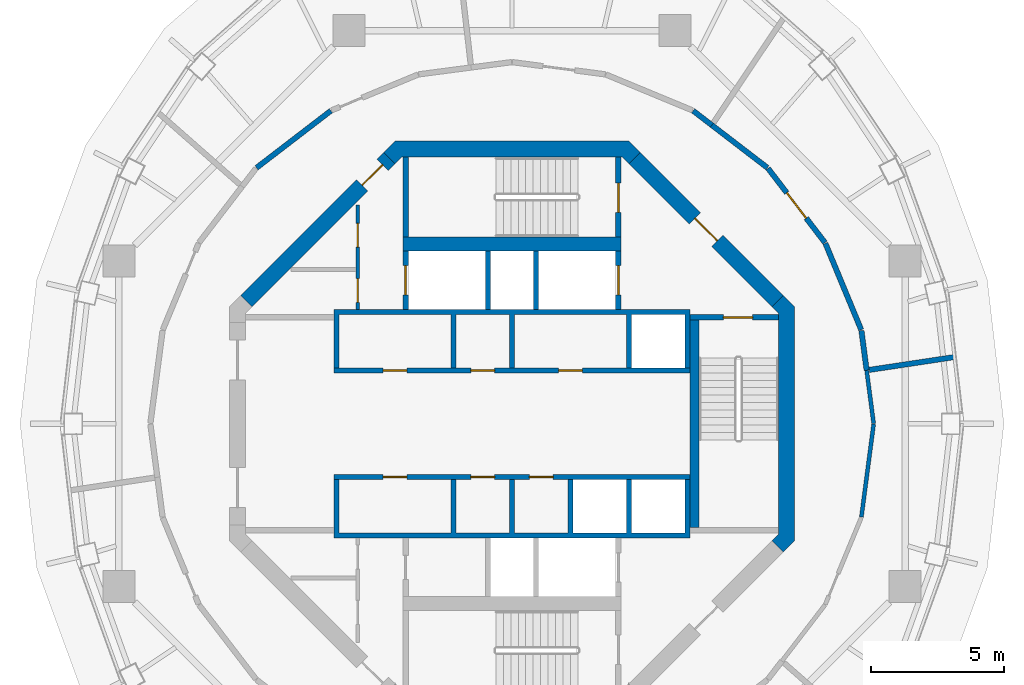
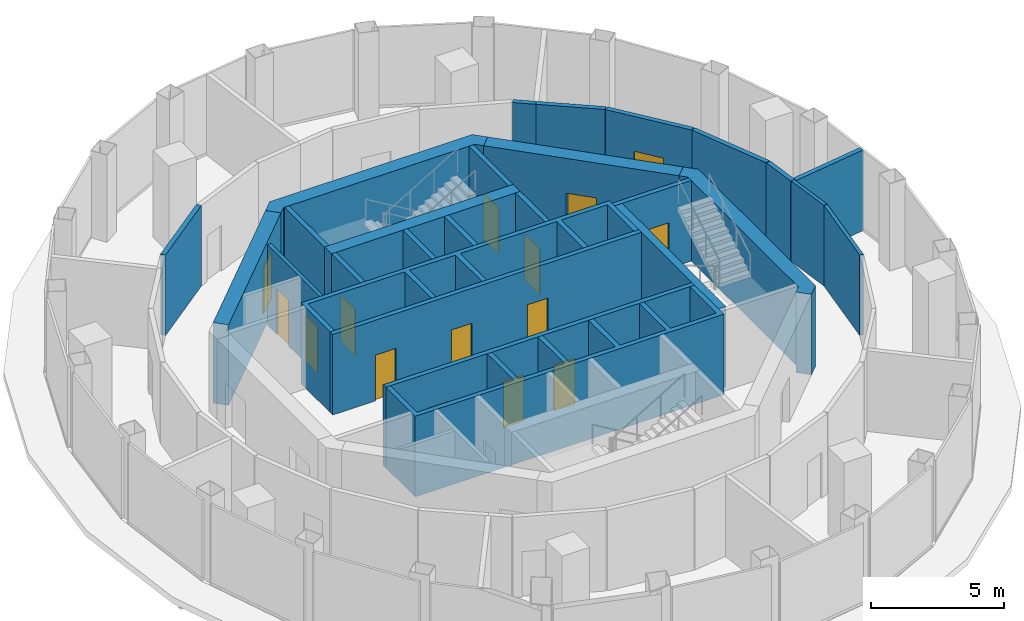
# One storey, part 9 of 11: 27 walls, 15 doors, 15 openings.
"""IFC4 building model written with IfcOpenShell, lengths in metres."""

from ifc_helpers import new_model, si_unit, direction, frame, frame_2d, origin, place, context, subcontext, project, spatial, polyline, rectangle, outline, extrude, material, layer, layer_set, type_object, element, fill, save


model = new_model("IFC4")

# Units and contexts
model_context = context("Model", 3, precision=1e-05, world=origin(), true_north=direction((0.0, 1.0)))
body_context = subcontext(model_context, "Body", "Model", "MODEL_VIEW")
ifc_project = project(units=[si_unit("LENGTHUNIT", "METRE"), si_unit("AREAUNIT", "SQUARE_METRE"), si_unit("VOLUMEUNIT", "CUBIC_METRE"), si_unit("PLANEANGLEUNIT", "RADIAN"), si_unit("MASSUNIT", "GRAM", prefix="KILO")], contexts=[model_context])

# Site, building, storey
site_placement = place(None, origin())
site = spatial("IfcSite", under=ifc_project, at=site_placement, CompositionType="ELEMENT")
building_placement = place(site_placement, origin())
building = spatial("IfcBuilding", under=site, at=building_placement, Name="Nagisa Residences", CompositionType="ELEMENT")
storey_placement = place(building_placement, frame((0.0, 0.0, 324.89990234375)))
storey = spatial("IfcBuildingStorey", under=building, at=storey_placement, Name="L80", CompositionType="ELEMENT", Elevation=324.89990234375)

# Wall, openings, doors
ifc_material_1 = material(Name="Gypsum board on steel studs", Category="steel")
ifc_layer_1 = layer(ifc_material_1, 0.14990234375)
ifc_layer_set_1 = layer_set([ifc_layer_1], Name="Core partition 150")
wall_type_1 = type_object("IfcWallType", Name="Core partition 150", PredefinedType="PARTITIONING", material=ifc_layer_set_1)
wall_1_placement = place(storey_placement, frame((-5.800048828125, 4.300048828125, 0.0), z_axis=(0.0, 0.0, 1.0), x_axis=(0.0, 1.0, 0.0)))
wall_1 = element("IfcWall", 1, at=wall_1_placement, inside=storey, type_object=wall_type_1, Name="wall:L80:NWp", PredefinedType="PARTITIONING", context=body_context, shape_type="SweptSolid", body=[
    extrude(rectangle(XDim=3.927001953125, YDim=0.14990234375, at=frame_2d((1.96337890625, 0.0))), origin(), (0.0, 0.0, 1.0), 3.7001953125),
])
opening_1_placement = place(wall_1_placement, frame((0.262451171875, 0.0, 0.0)))
opening_1 = element("IfcOpeningElement", 2, at=opening_1_placement, cuts=wall_1, Name="Opening L80-C07", PredefinedType="OPENING", context=body_context, shape_type="SweptSolid", body=[
    extrude(rectangle(XDim=0.89990234375, YDim=2.10009765625, at=frame_2d((0.449951171875, 1.050048828125))), frame((0.0, 0.0849609375, 0.0), z_axis=(0.0, -1.0, 0.0), x_axis=(1.0, 0.0, 0.0)), (0.0, 0.0, 1.0), 0.169921875),
])
opening_2_placement = place(wall_1_placement, frame((2.33837890625, 0.0, 0.0)))
opening_2 = element("IfcOpeningElement", 3, at=opening_2_placement, cuts=wall_1, Name="Opening L80-C08", PredefinedType="OPENING", context=body_context, shape_type="SweptSolid", body=[
    extrude(rectangle(XDim=0.89990234375, YDim=2.10009765625, at=frame_2d((0.449951171875, 1.050048828125))), frame((0.0, 0.0849609375, 0.0), z_axis=(0.0, -1.0, 0.0), x_axis=(1.0, 0.0, 0.0)), (0.0, 0.0, 1.0), 0.169921875),
])
ifc_material_2 = material(Name="Steel fire door", Category="steel")
door_type_1 = type_object("IfcDoorType", Name="Fire door EI30 900x2100 single swing", OperationType="NOTDEFINED", PredefinedType="DOOR", material=ifc_material_2)
door_1_placement = place(opening_1_placement, origin())
door_1 = element("IfcDoor", 4, at=door_1_placement, inside=storey, type_object=door_type_1, Name="Linen store door L80", OperationType="SINGLE_SWING_LEFT", OverallHeight=2.10009765625, OverallWidth=0.89990234375, PredefinedType="DOOR", context=body_context, shape_type="SweptSolid", body=[
    extrude(rectangle(XDim=0.89990234375, YDim=2.10009765625, at=frame_2d((0.449951171875, 1.050048828125))), frame((0.0, 0.02490234375, 0.0), z_axis=(0.0, -1.0, 0.0), x_axis=(1.0, 0.0, 0.0)), (0.0, 0.0, 1.0), 0.050048828125),
])
fill(opening_1, door_1)
door_2_placement = place(opening_2_placement, origin())
door_2 = element("IfcDoor", 5, at=door_2_placement, inside=storey, type_object=door_type_1, Name="Refuse room door L80", OperationType="SINGLE_SWING_LEFT", OverallHeight=2.10009765625, OverallWidth=0.89990234375, PredefinedType="DOOR", context=body_context, shape_type="SweptSolid", body=[
    extrude(rectangle(XDim=0.89990234375, YDim=2.10009765625, at=frame_2d((0.449951171875, 1.050048828125))), frame((0.0, 0.02490234375, 0.0), z_axis=(0.0, -1.0, 0.0), x_axis=(1.0, 0.0, 0.0)), (0.0, 0.0, 1.0), 0.050048828125),
])
fill(opening_2, door_2)

# Wall, opening, door
ifc_material_3 = material(Name="Concrete C60", Category="concrete")
ifc_layer_2 = layer(ifc_material_3, 0.60009765625)
ifc_layer_set_2 = layer_set([ifc_layer_2], Name="Core shear wall 600")
wall_type_2 = type_object("IfcWallType", Name="Core shear wall 600", PredefinedType="SHEAR", material=ifc_layer_set_2)
wall_2_placement = place(storey_placement, frame((9.98828125, 4.613037109375, 0.0), z_axis=(0.0, 0.0, 1.0), x_axis=(-0.707106781187, 0.707106781187, 0.0)))
wall_2 = element("IfcWall", 6, at=wall_2_placement, inside=storey, type_object=wall_type_2, Name="wall:L80:core:flat1", PredefinedType="SHEAR", context=body_context, shape_type="SweptSolid", body=[
    extrude(rectangle(XDim=7.601806640625, YDim=0.60009765625, at=frame_2d((3.80078125, 0.0))), origin(), (0.0, 0.0, 1.0), 3.7001953125),
])
opening_3_placement = place(wall_2_placement, frame((3.200927734375, 0.0, 0.0)))
opening_3 = element("IfcOpeningElement", 7, at=opening_3_placement, cuts=wall_2, Name="Opening L80-C18", PredefinedType="OPENING", context=body_context, shape_type="SweptSolid", body=[
    extrude(rectangle(XDim=1.199951171875, YDim=2.10009765625, at=frame_2d((0.60009765625, 1.050048828125))), frame((0.0, 0.31005859375, 0.0), z_axis=(0.0, -1.0, 0.0), x_axis=(1.0, 0.0, 0.0)), (0.0, 0.0, 1.0), 0.6201171875),
])
ifc_material_4 = material(Name="Steel fire door", Category="steel")
door_type_2 = type_object("IfcDoorType", Name="Fire door EI60 1200x2100 single swing", OperationType="NOTDEFINED", PredefinedType="DOOR", material=ifc_material_4)
door_3_placement = place(opening_3_placement, origin())
door_3 = element("IfcDoor", 8, at=door_3_placement, inside=storey, type_object=door_type_2, Name="Firefighting lobby 1 door L80", OperationType="SINGLE_SWING_LEFT", OverallHeight=2.10009765625, OverallWidth=1.199951171875, PredefinedType="DOOR", context=body_context, shape_type="SweptSolid", body=[
    extrude(rectangle(XDim=1.199951171875, YDim=2.10009765625, at=frame_2d((0.60009765625, 1.050048828125))), frame((0.0, 0.02490234375, 0.0), z_axis=(0.0, -1.0, 0.0), x_axis=(1.0, 0.0, 0.0)), (0.0, 0.0, 1.0), 0.050048828125),
])
fill(opening_3, door_3)

wall_3_placement = place(storey_placement, frame((-4.613037109375, 9.98828125, 0.0), z_axis=(0.0, 0.0, 1.0), x_axis=(-0.707106781187, -0.707106781187, 0.0)))
wall_3 = element("IfcWall", 9, at=wall_3_placement, inside=storey, type_object=wall_type_2, Name="wall:L80:core:flat3", PredefinedType="SHEAR", context=body_context, shape_type="SweptSolid", body=[
    extrude(rectangle(XDim=7.601806640625, YDim=0.60009765625, at=frame_2d((3.80078125, 0.0))), origin(), (0.0, 0.0, 1.0), 3.7001953125),
])
opening_4_placement = place(wall_3_placement, frame((0.350830078125, 0.0, 0.0)))
opening_4 = element("IfcOpeningElement", 10, at=opening_4_placement, cuts=wall_3, Name="Opening L80-C22", PredefinedType="OPENING", context=body_context, shape_type="SweptSolid", body=[
    extrude(rectangle(XDim=1.10009765625, YDim=2.10009765625, at=frame_2d((0.550048828125, 1.050048828125))), frame((0.0, 0.31005859375, 0.0), z_axis=(0.0, -1.0, 0.0), x_axis=(1.0, 0.0, 0.0)), (0.0, 0.0, 1.0), 0.6201171875),
])
ifc_material_5 = material(Name="Steel fire door", Category="steel")
door_type_3 = type_object("IfcDoorType", Name="Fire door EI60 1100x2100 single swing", OperationType="NOTDEFINED", PredefinedType="DOOR", material=ifc_material_5)
door_4_placement = place(opening_4_placement, origin())
door_4 = element("IfcDoor", 11, at=door_4_placement, inside=storey, type_object=door_type_3, Name="Service lobby door L80", OperationType="SINGLE_SWING_LEFT", OverallHeight=2.10009765625, OverallWidth=1.10009765625, PredefinedType="DOOR", context=body_context, shape_type="SweptSolid", body=[
    extrude(rectangle(XDim=1.10009765625, YDim=2.10009765625, at=frame_2d((0.550048828125, 1.050048828125))), frame((0.0, 0.02490234375, 0.0), z_axis=(0.0, -1.0, 0.0), x_axis=(1.0, 0.0, 0.0)), (0.0, 0.0, 1.0), 0.050048828125),
])
fill(opening_4, door_4)

# Walls
wall_4_placement = place(storey_placement, origin())
element("IfcWall", 12, at=wall_4_placement, inside=storey, type_object=wall_type_2, Name="wall:L80:core:flat2", PredefinedType="SHEAR", context=body_context, shape_type="SweptSolid", body=[
    extrude(outline(polyline([(-4.15234375, 10.024658203125), (-4.40087890625, 9.776123046875), (-4.8251953125, 10.200439453125), (-4.40087890625, 10.62451171875), (4.40087890625, 10.62451171875), (4.8251953125, 10.200439453125), (4.40087890625, 9.776123046875), (4.15234375, 10.024658203125), (-4.15234375, 10.024658203125)])), origin(), (0.0, 0.0, 1.0), 3.7001953125),
])
wall_5_placement = place(storey_placement, origin())
element("IfcWall", 13, at=wall_5_placement, inside=storey, type_object=wall_type_2, Name="wall:L80:core:flat0", PredefinedType="SHEAR", context=body_context, shape_type="SweptSolid", body=[
    extrude(outline(polyline([(9.776123046875, -4.40087890625), (10.024658203125, -4.15234375), (10.024658203125, -3.801025390625), (10.024658203125, 4.15234375), (9.776123046875, 4.40087890625), (10.200439453125, 4.8251953125), (10.62451171875, 4.40087890625), (10.62451171875, -4.40087890625), (10.200439453125, -4.8251953125), (9.776123046875, -4.40087890625)])), origin(), (0.0, 0.0, 1.0), 3.7001953125),
])

# Wall, opening, door
ifc_material_6 = material(Name="Concrete C60", Category="concrete")
ifc_layer_3 = layer(ifc_material_6, 0.199951171875)
ifc_layer_set_3 = layer_set([ifc_layer_3], Name="Lift shaft wall 200")
wall_type_3 = type_object("IfcWallType", Name="Lift shaft wall 200", PredefinedType="SOLIDWALL", material=ifc_layer_set_3)
wall_6_placement = place(storey_placement, frame((4.0, 4.300048828125, 0.0), z_axis=(0.0, 0.0, 1.0), x_axis=(0.0, 1.0, 0.0)))
wall_6 = element("IfcWall", 14, at=wall_6_placement, inside=storey, type_object=wall_type_3, Name="wall:L80:Nb3", PredefinedType="SOLIDWALL", context=body_context, shape_type="SweptSolid", body=[
    extrude(rectangle(XDim=2.199951171875, YDim=0.199951171875, at=frame_2d((1.10009765625, 0.0))), origin(), (0.0, 0.0, 1.0), 3.7001953125),
])
opening_5_placement = place(wall_6_placement, frame((0.550048828125, 0.0, 0.0)))
opening_5 = element("IfcOpeningElement", 15, at=opening_5_placement, cuts=wall_6, Name="Opening L80-C01", PredefinedType="OPENING", context=body_context, shape_type="SweptSolid", body=[
    extrude(rectangle(XDim=1.10009765625, YDim=2.10009765625, at=frame_2d((0.550048828125, 1.050048828125))), frame((0.0, 0.10986328125, 0.0), z_axis=(0.0, -1.0, 0.0), x_axis=(1.0, 0.0, 0.0)), (0.0, 0.0, 1.0), 0.219970703125),
])
ifc_material_7 = material(Name="Stainless steel", Category="steel")
door_type_4 = type_object("IfcDoorType", Name="Lift landing door 1100x2100", OperationType="DOUBLE_DOOR_SLIDING", PredefinedType="DOOR", material=ifc_material_7)
door_5_placement = place(opening_5_placement, origin())
door_5 = element("IfcDoor", 16, at=door_5_placement, inside=storey, type_object=door_type_4, Name="Landing door FL1 L80", OperationType="DOUBLE_DOOR_SLIDING", OverallHeight=2.10009765625, OverallWidth=1.10009765625, PredefinedType="DOOR", context=body_context, shape_type="SweptSolid", body=[
    extrude(rectangle(XDim=1.10009765625, YDim=2.10009765625, at=frame_2d((0.550048828125, 1.050048828125))), frame((0.0, 0.02490234375, 0.0), z_axis=(0.0, -1.0, 0.0), x_axis=(1.0, 0.0, 0.0)), (0.0, 0.0, 1.0), 0.050048828125),
])
fill(opening_5, door_5)

wall_7_placement = place(storey_placement, frame((-4.0, 4.300048828125, 0.0), z_axis=(0.0, 0.0, 1.0), x_axis=(0.0, 1.0, 0.0)))
wall_7 = element("IfcWall", 17, at=wall_7_placement, inside=storey, type_object=wall_type_3, Name="wall:L80:Nb4", PredefinedType="SOLIDWALL", context=body_context, shape_type="SweptSolid", body=[
    extrude(rectangle(XDim=2.199951171875, YDim=0.199951171875, at=frame_2d((1.10009765625, 0.0))), origin(), (0.0, 0.0, 1.0), 3.7001953125),
])
opening_6_placement = place(wall_7_placement, frame((0.550048828125, 0.0, 0.0)))
opening_6 = element("IfcOpeningElement", 18, at=opening_6_placement, cuts=wall_7, Name="Opening L80-C03", PredefinedType="OPENING", context=body_context, shape_type="SweptSolid", body=[
    extrude(rectangle(XDim=1.10009765625, YDim=2.10009765625, at=frame_2d((0.550048828125, 1.050048828125))), frame((0.0, 0.10986328125, 0.0), z_axis=(0.0, -1.0, 0.0), x_axis=(1.0, 0.0, 0.0)), (0.0, 0.0, 1.0), 0.219970703125),
])
door_6_placement = place(opening_6_placement, origin())
door_6 = element("IfcDoor", 19, at=door_6_placement, inside=storey, type_object=door_type_4, Name="Landing door SV L80", OperationType="DOUBLE_DOOR_SLIDING", OverallHeight=2.10009765625, OverallWidth=1.10009765625, PredefinedType="DOOR", context=body_context, shape_type="SweptSolid", body=[
    extrude(rectangle(XDim=1.10009765625, YDim=2.10009765625, at=frame_2d((0.550048828125, 1.050048828125))), frame((0.0, 0.02490234375, 0.0), z_axis=(0.0, -1.0, 0.0), x_axis=(1.0, 0.0, 0.0)), (0.0, 0.0, 1.0), 0.050048828125),
])
fill(opening_6, door_6)

# Wall, openings, doors
wall_8_placement = place(storey_placement, frame((-6.699951171875, 2.0, 0.0), z_axis=(0.0, 0.0, 1.0), x_axis=(1.0, 0.0, 0.0)))
wall_8 = element("IfcWall", 20, at=wall_8_placement, inside=storey, type_object=wall_type_3, Name="wall:L80:Nfront", PredefinedType="SOLIDWALL", context=body_context, shape_type="SweptSolid", body=[
    extrude(rectangle(XDim=13.39990234375, YDim=0.199951171875, at=frame_2d((6.699951171875, 0.0))), origin(), (0.0, 0.0, 1.0), 3.7001953125),
])
opening_7_placement = place(wall_8_placement, frame((1.85009765625, 0.0, 0.0)))
opening_7 = element("IfcOpeningElement", 21, at=opening_7_placement, cuts=wall_8, Name="Opening L80-C12", PredefinedType="OPENING", context=body_context, shape_type="SweptSolid", body=[
    extrude(rectangle(XDim=0.89990234375, YDim=2.10009765625, at=frame_2d((0.449951171875, 1.050048828125))), frame((0.0, 0.10986328125, 0.0), z_axis=(0.0, -1.0, 0.0), x_axis=(1.0, 0.0, 0.0)), (0.0, 0.0, 1.0), 0.219970703125),
])
opening_8_placement = place(wall_8_placement, frame((5.14990234375, 0.0, 0.0)))
opening_8 = element("IfcOpeningElement", 22, at=opening_8_placement, cuts=wall_8, Name="Opening L80-C13", PredefinedType="OPENING", context=body_context, shape_type="SweptSolid", body=[
    extrude(rectangle(XDim=0.89990234375, YDim=2.10009765625, at=frame_2d((0.449951171875, 1.050048828125))), frame((0.0, 0.10986328125, 0.0), z_axis=(0.0, -1.0, 0.0), x_axis=(1.0, 0.0, 0.0)), (0.0, 0.0, 1.0), 0.219970703125),
])
opening_9_placement = place(wall_8_placement, frame((8.449951171875, 0.0, 0.0)))
opening_9 = element("IfcOpeningElement", 23, at=opening_9_placement, cuts=wall_8, Name="Opening L80-C14", PredefinedType="OPENING", context=body_context, shape_type="SweptSolid", body=[
    extrude(rectangle(XDim=0.89990234375, YDim=2.10009765625, at=frame_2d((0.449951171875, 1.050048828125))), frame((0.0, 0.10986328125, 0.0), z_axis=(0.0, -1.0, 0.0), x_axis=(1.0, 0.0, 0.0)), (0.0, 0.0, 1.0), 0.219970703125),
])
door_7_placement = place(opening_7_placement, origin())
door_7 = element("IfcDoor", 24, at=door_7_placement, inside=storey, type_object=door_type_1, Name="Chiller store door L80", OperationType="SINGLE_SWING_RIGHT", OverallHeight=2.10009765625, OverallWidth=0.89990234375, PredefinedType="DOOR", context=body_context, shape_type="SweptSolid", body=[
    extrude(rectangle(XDim=0.89990234375, YDim=2.10009765625, at=frame_2d((0.449951171875, 1.050048828125))), frame((0.0, 0.02490234375, 0.0), z_axis=(0.0, -1.0, 0.0), x_axis=(1.0, 0.0, 0.0)), (0.0, 0.0, 1.0), 0.050048828125),
])
fill(opening_7, door_7)
door_8_placement = place(opening_8_placement, origin())
door_8 = element("IfcDoor", 25, at=door_8_placement, inside=storey, type_object=door_type_1, Name="Electrical room door L80", OperationType="SINGLE_SWING_RIGHT", OverallHeight=2.10009765625, OverallWidth=0.89990234375, PredefinedType="DOOR", context=body_context, shape_type="SweptSolid", body=[
    extrude(rectangle(XDim=0.89990234375, YDim=2.10009765625, at=frame_2d((0.449951171875, 1.050048828125))), frame((0.0, 0.02490234375, 0.0), z_axis=(0.0, -1.0, 0.0), x_axis=(1.0, 0.0, 0.0)), (0.0, 0.0, 1.0), 0.050048828125),
])
fill(opening_8, door_8)
door_9_placement = place(opening_9_placement, origin())
door_9 = element("IfcDoor", 26, at=door_9_placement, inside=storey, type_object=door_type_1, Name="Chiller store door L80", OperationType="SINGLE_SWING_RIGHT", OverallHeight=2.10009765625, OverallWidth=0.89990234375, PredefinedType="DOOR", context=body_context, shape_type="SweptSolid", body=[
    extrude(rectangle(XDim=0.89990234375, YDim=2.10009765625, at=frame_2d((0.449951171875, 1.050048828125))), frame((0.0, 0.02490234375, 0.0), z_axis=(0.0, -1.0, 0.0), x_axis=(1.0, 0.0, 0.0)), (0.0, 0.0, 1.0), 0.050048828125),
])
fill(opening_9, door_9)

wall_9_placement = place(storey_placement, frame((-6.699951171875, -2.0, 0.0), z_axis=(0.0, 0.0, 1.0), x_axis=(1.0, 0.0, 0.0)))
wall_9 = element("IfcWall", 27, at=wall_9_placement, inside=storey, type_object=wall_type_3, Name="wall:L80:Sfront", PredefinedType="SOLIDWALL", context=body_context, shape_type="SweptSolid", body=[
    extrude(rectangle(XDim=13.39990234375, YDim=0.199951171875, at=frame_2d((6.699951171875, 0.0))), origin(), (0.0, 0.0, 1.0), 3.7001953125),
])
opening_10_placement = place(wall_9_placement, frame((1.85009765625, 0.0, 0.0)))
opening_10 = element("IfcOpeningElement", 28, at=opening_10_placement, cuts=wall_9, Name="Opening L80-C15", PredefinedType="OPENING", context=body_context, shape_type="SweptSolid", body=[
    extrude(rectangle(XDim=0.89990234375, YDim=2.10009765625, at=frame_2d((0.449951171875, 1.050048828125))), frame((0.0, 0.10986328125, 0.0), z_axis=(0.0, -1.0, 0.0), x_axis=(1.0, 0.0, 0.0)), (0.0, 0.0, 1.0), 0.219970703125),
])
opening_11_placement = place(wall_9_placement, frame((5.14990234375, 0.0, 0.0)))
opening_11 = element("IfcOpeningElement", 29, at=opening_11_placement, cuts=wall_9, Name="Opening L80-C16", PredefinedType="OPENING", context=body_context, shape_type="SweptSolid", body=[
    extrude(rectangle(XDim=0.89990234375, YDim=2.10009765625, at=frame_2d((0.449951171875, 1.050048828125))), frame((0.0, 0.10986328125, 0.0), z_axis=(0.0, -1.0, 0.0), x_axis=(1.0, 0.0, 0.0)), (0.0, 0.0, 1.0), 0.219970703125),
])
opening_12_placement = place(wall_9_placement, frame((7.35009765625, 0.0, 0.0)))
opening_12 = element("IfcOpeningElement", 30, at=opening_12_placement, cuts=wall_9, Name="Opening L80-C17", PredefinedType="OPENING", context=body_context, shape_type="SweptSolid", body=[
    extrude(rectangle(XDim=0.89990234375, YDim=2.10009765625, at=frame_2d((0.449951171875, 1.050048828125))), frame((0.0, 0.10986328125, 0.0), z_axis=(0.0, -1.0, 0.0), x_axis=(1.0, 0.0, 0.0)), (0.0, 0.0, 1.0), 0.219970703125),
])
door_10_placement = place(opening_10_placement, frame((0.89990234375, 0.0, 0.0), x_axis=(-1.0, 0.0, 0.0)))
door_10 = element("IfcDoor", 31, at=door_10_placement, inside=storey, type_object=door_type_1, Name="Electrical room door L80", OperationType="SINGLE_SWING_LEFT", OverallHeight=2.10009765625, OverallWidth=0.89990234375, PredefinedType="DOOR", context=body_context, shape_type="SweptSolid", body=[
    extrude(rectangle(XDim=0.89990234375, YDim=2.10009765625, at=frame_2d((0.449951171875, 1.050048828125))), frame((0.0, 0.02490234375, 0.0), z_axis=(0.0, -1.0, 0.0), x_axis=(1.0, 0.0, 0.0)), (0.0, 0.0, 1.0), 0.050048828125),
])
fill(opening_10, door_10)
door_11_placement = place(opening_11_placement, frame((0.89990234375, 0.0, 0.0), x_axis=(-1.0, 0.0, 0.0)))
door_11 = element("IfcDoor", 32, at=door_11_placement, inside=storey, type_object=door_type_1, Name="Chiller store door L80", OperationType="SINGLE_SWING_LEFT", OverallHeight=2.10009765625, OverallWidth=0.89990234375, PredefinedType="DOOR", context=body_context, shape_type="SweptSolid", body=[
    extrude(rectangle(XDim=0.89990234375, YDim=2.10009765625, at=frame_2d((0.449951171875, 1.050048828125))), frame((0.0, 0.02490234375, 0.0), z_axis=(0.0, -1.0, 0.0), x_axis=(1.0, 0.0, 0.0)), (0.0, 0.0, 1.0), 0.050048828125),
])
fill(opening_11, door_11)
door_12_placement = place(opening_12_placement, frame((0.89990234375, 0.0, 0.0), x_axis=(-1.0, 0.0, 0.0)))
door_12 = element("IfcDoor", 33, at=door_12_placement, inside=storey, type_object=door_type_1, Name="Electrical room door L80", OperationType="SINGLE_SWING_LEFT", OverallHeight=2.10009765625, OverallWidth=0.89990234375, PredefinedType="DOOR", context=body_context, shape_type="SweptSolid", body=[
    extrude(rectangle(XDim=0.89990234375, YDim=2.10009765625, at=frame_2d((0.449951171875, 1.050048828125))), frame((0.0, 0.02490234375, 0.0), z_axis=(0.0, -1.0, 0.0), x_axis=(1.0, 0.0, 0.0)), (0.0, 0.0, 1.0), 0.050048828125),
])
fill(opening_12, door_12)

# Walls
for number, where, z_axis, x_axis, name in (
    (34, (-0.89990234375, 4.300048828125, 0.0), (0.0, 0.0, 1.0), (0.0, 1.0, 0.0), "wall:L80:Nb1"),
    (35, (0.89990234375, 4.300048828125, 0.0), (0.0, 0.0, 1.0), (0.0, 1.0, 0.0), "wall:L80:Nb2"),
):
    element("IfcWall", number, at=place(storey_placement, frame(where, z_axis=z_axis, x_axis=x_axis)), inside=storey, type_object=wall_type_3, Name=name, PredefinedType="SOLIDWALL", context=body_context, shape_type="SweptSolid", body=[
        extrude(rectangle(XDim=2.199951171875, YDim=0.199951171875, at=frame_2d((1.10009765625, 0.0))), origin(), (0.0, 0.0, 1.0), 3.7001953125),
    ])
wall_10_placement = place(storey_placement, origin())
element("IfcWall", 36, at=wall_10_placement, inside=storey, type_object=wall_type_3, Name="wall:L80:Nback", PredefinedType="SOLIDWALL", context=body_context, shape_type="SweptSolid", body=[
    extrude(outline(polyline([(-6.699951171875, 4.300048828125), (6.699951171875, 4.300048828125), (6.699951171875, 2.10009765625), (6.5, 2.10009765625), (6.5, 4.10009765625), (4.5, 4.10009765625), (4.5, 2.10009765625), (4.300048828125, 2.10009765625), (4.300048828125, 4.10009765625), (0.10009765625, 4.10009765625), (0.10009765625, 2.10009765625), (-0.10009765625, 2.10009765625), (-0.10009765625, 4.10009765625), (-2.10009765625, 4.10009765625), (-2.10009765625, 2.10009765625), (-2.300048828125, 2.10009765625), (-2.300048828125, 4.10009765625), (-6.5, 4.10009765625), (-6.5, 2.10009765625), (-6.699951171875, 2.10009765625), (-6.699951171875, 4.300048828125)])), origin(), (0.0, 0.0, 1.0), 3.7001953125),
])
wall_11_placement = place(storey_placement, origin())
element("IfcWall", 37, at=wall_11_placement, inside=storey, type_object=wall_type_3, Name="wall:L80:Sback", PredefinedType="SOLIDWALL", context=body_context, shape_type="SweptSolid", body=[
    extrude(outline(polyline([(-6.699951171875, -2.10009765625), (-6.5, -2.10009765625), (-6.5, -4.10009765625), (-2.300048828125, -4.10009765625), (-2.300048828125, -2.10009765625), (-2.10009765625, -2.10009765625), (-2.10009765625, -4.10009765625), (-0.10009765625, -4.10009765625), (-0.10009765625, -2.10009765625), (0.10009765625, -2.10009765625), (0.10009765625, -4.10009765625), (2.10009765625, -4.10009765625), (2.10009765625, -2.10009765625), (2.300048828125, -2.10009765625), (2.300048828125, -4.10009765625), (4.300048828125, -4.10009765625), (4.300048828125, -2.10009765625), (4.5, -2.10009765625), (4.5, -4.10009765625), (6.5, -4.10009765625), (6.5, -2.10009765625), (6.699951171875, -2.10009765625), (6.699951171875, -4.300048828125), (-6.699951171875, -4.300048828125), (-6.699951171875, -2.10009765625)])), origin(), (0.0, 0.0, 1.0), 3.7001953125),
])
ifc_material_8 = material(Name="Gypsum board on steel studs", Category="steel")
ifc_layer_4 = layer(ifc_material_8, 0.199951171875)
ifc_layer_set_4 = layer_set([ifc_layer_4], Name="Plant room wall EI120 200")
wall_type_4 = type_object("IfcWallType", Name="Plant room wall EI120 200", PredefinedType="PARTITIONING", material=ifc_layer_set_4)
wall_12_placement = place(storey_placement, frame((-9.604736328125, 9.6259765625, 0.0), z_axis=(0.0, 0.0, 1.0), x_axis=(0.793402024283, 0.608697977542, 0.0)))
element("IfcWall", 38, at=wall_12_placement, inside=storey, type_object=wall_type_4, Name="wall:L80:am014", PredefinedType="PARTITIONING", context=body_context, shape_type="SweptSolid", body=[
    extrude(rectangle(XDim=3.52001953125, YDim=0.199951171875, at=frame_2d((1.760009765625, 0.0))), origin(), (0.0, 0.0, 1.0), 3.7001953125),
])
wall_13_placement = place(storey_placement, frame((6.81201171875, 11.7685546875, 0.0), z_axis=(0.0, 0.0, 1.0), x_axis=(0.793420478802, -0.608673922407, 0.0)))
element("IfcWall", 39, at=wall_13_placement, inside=storey, type_object=wall_type_4, Name="wall:L80:am030", PredefinedType="PARTITIONING", context=body_context, shape_type="SweptSolid", body=[
    extrude(rectangle(XDim=0.887939453125, YDim=0.199951171875, at=frame_2d((0.44384765625, 0.0))), origin(), (0.0, 0.0, 1.0), 3.7001953125),
])
wall_14_placement = place(storey_placement, frame((7.5166015625, 11.22802734375, 0.0), z_axis=(0.0, 0.0, 1.0), x_axis=(0.793395797287, -0.608706093979, 0.0)))
element("IfcWall", 40, at=wall_14_placement, inside=storey, type_object=wall_type_4, Name="wall:L80:am031", PredefinedType="PARTITIONING", context=body_context, shape_type="SweptSolid", body=[
    extrude(rectangle(XDim=2.6318359375, YDim=0.199951171875, at=frame_2d((1.31591796875, 0.0))), origin(), (0.0, 0.0, 1.0), 3.7001953125),
])

# Wall, opening, door
wall_15_placement = place(storey_placement, frame((9.6259765625, 9.604736328125, 0.0), z_axis=(0.0, 0.0, 1.0), x_axis=(0.608697977542, -0.793402024283, 0.0)))
wall_15 = element("IfcWall", 41, at=wall_15_placement, inside=storey, type_object=wall_type_4, Name="wall:L80:am034", PredefinedType="PARTITIONING", context=body_context, shape_type="SweptSolid", body=[
    extrude(rectangle(XDim=3.52001953125, YDim=0.199951171875, at=frame_2d((1.760009765625, 0.0))), origin(), (0.0, 0.0, 1.0), 3.7001953125),
])
opening_13_placement = place(wall_15_placement, frame((1.159912109375, 0.0, 0.0)))
opening_13 = element("IfcOpeningElement", 42, at=opening_13_placement, cuts=wall_15, Name="Opening L80-A01", PredefinedType="OPENING", context=body_context, shape_type="SweptSolid", body=[
    extrude(rectangle(XDim=1.199951171875, YDim=2.10009765625, at=frame_2d((0.60009765625, 1.050048828125))), frame((0.0, 0.10986328125, 0.0), z_axis=(0.0, -1.0, 0.0), x_axis=(1.0, 0.0, 0.0)), (0.0, 0.0, 1.0), 0.219970703125),
])
ifc_material_9 = material(Name="Steel fire door", Category="steel")
door_type_5 = type_object("IfcDoorType", Name="Fire door EI120 1200x2100 single swing", OperationType="NOTDEFINED", PredefinedType="DOOR", material=ifc_material_9)
door_13_placement = place(opening_13_placement, frame((1.199951171875, 0.0, 0.0), x_axis=(-1.0, 0.0, 0.0)))
door_13 = element("IfcDoor", 43, at=door_13_placement, inside=storey, type_object=door_type_5, Name="Air handling plant room 1 door", OperationType="SINGLE_SWING_RIGHT", OverallHeight=2.10009765625, OverallWidth=1.199951171875, PredefinedType="DOOR", context=body_context, shape_type="SweptSolid", body=[
    extrude(rectangle(XDim=1.199951171875, YDim=2.10009765625, at=frame_2d((0.60009765625, 1.050048828125))), frame((0.0, 0.02490234375, 0.0), z_axis=(0.0, -1.0, 0.0), x_axis=(1.0, 0.0, 0.0)), (0.0, 0.0, 1.0), 0.050048828125),
])
fill(opening_13, door_13)

# Walls
wall_16_placement = place(storey_placement, frame((11.78369140625, 6.785888671875, 0.0), z_axis=(0.0, 0.0, 1.0), x_axis=(0.382723413813, -0.92386297064, 0.0)))
element("IfcWall", 44, at=wall_16_placement, inside=storey, type_object=wall_type_4, Name="wall:L80:am036", PredefinedType="PARTITIONING", context=body_context, shape_type="SweptSolid", body=[
    extrude(rectangle(XDim=3.52001953125, YDim=0.199951171875, at=frame_2d((1.760009765625, 0.0))), origin(), (0.0, 0.0, 1.0), 3.7001953125),
])
wall_17_placement = place(storey_placement, frame((13.138671875, 3.5048828125, 0.0), z_axis=(0.0, 0.0, 1.0), x_axis=(0.130391662061, -0.99146256332, 0.0)))
element("IfcWall", 45, at=wall_17_placement, inside=storey, type_object=wall_type_4, Name="wall:L80:am038", PredefinedType="PARTITIONING", context=body_context, shape_type="SweptSolid", body=[
    extrude(rectangle(XDim=1.50732421875, YDim=0.199951171875, at=frame_2d((0.753662109375, 0.0))), origin(), (0.0, 0.0, 1.0), 3.7001953125),
])
wall_18_placement = place(storey_placement, frame((13.43408203125, 2.025390625, 0.0), z_axis=(0.0, 0.0, 1.0), x_axis=(0.988817905908, 0.149127961685, 0.0)))
element("IfcWall", 46, at=wall_18_placement, inside=storey, type_object=wall_type_4, Name="wall:L80:am039", PredefinedType="PARTITIONING", context=body_context, shape_type="SweptSolid", body=[
    extrude(rectangle(XDim=3.213623046875, YDim=0.199951171875, at=frame_2d((1.60693359375, 0.0))), origin(), (0.0, 0.0, 1.0), 3.7001953125),
])
ifc_material_10 = material(Name="Gypsum board on steel studs", Category="steel")
ifc_layer_5 = layer(ifc_material_10, 0.14990234375)
ifc_layer_set_5 = layer_set([ifc_layer_5], Name="Room partition EI60 150")
wall_type_5 = type_object("IfcWallType", Name="Room partition EI60 150", PredefinedType="PARTITIONING", material=ifc_layer_set_5)
wall_19_placement = place(storey_placement, frame((13.335205078125, 2.010498046875, 0.0), z_axis=(0.0, 0.0, 1.0), x_axis=(0.130545357325, -0.991442338051, 0.0)))
element("IfcWall", 47, at=wall_19_placement, inside=storey, type_object=wall_type_5, Name="wall:L80:am002", PredefinedType="PARTITIONING", context=body_context, shape_type="SweptSolid", body=[
    extrude(rectangle(XDim=2.01611328125, YDim=0.14990234375, at=frame_2d((1.008056640625, 0.0))), origin(), (0.0, 0.0, 1.0), 3.7001953125),
])
wall_20_placement = place(storey_placement, frame((13.598388671875, -0.01171875, 0.0), z_axis=(0.0, 0.0, 1.0), x_axis=(-0.130499283623, -0.991448403586, 0.0)))
element("IfcWall", 48, at=wall_20_placement, inside=storey, type_object=wall_type_5, Name="wall:L80:am003", PredefinedType="PARTITIONING", context=body_context, shape_type="SweptSolid", body=[
    extrude(rectangle(XDim=3.526611328125, YDim=0.14990234375, at=frame_2d((1.76318359375, 0.0))), origin(), (0.0, 0.0, 1.0), 3.7001953125),
])

# Wall, opening, door
ifc_material_11 = material(Name="Concrete C60", Category="concrete")
ifc_layer_6 = layer(ifc_material_11, 0.199951171875)
ifc_layer_set_6 = layer_set([ifc_layer_6], Name="Stair enclosure wall 200")
wall_type_6 = type_object("IfcWallType", Name="Stair enclosure wall 200", PredefinedType="SOLIDWALL", material=ifc_layer_set_6)
wall_21_placement = place(storey_placement, frame((6.699951171875, 4.0, 0.0), z_axis=(0.0, 0.0, 1.0), x_axis=(1.0, 0.0, 0.0)))
wall_21 = element("IfcWall", 49, at=wall_21_placement, inside=storey, type_object=wall_type_6, Name="wall:L80:SE_n", PredefinedType="SOLIDWALL", context=body_context, shape_type="SweptSolid", body=[
    extrude(rectangle(XDim=3.32470703125, YDim=0.199951171875, at=frame_2d((1.662353515625, 0.0))), origin(), (0.0, 0.0, 1.0), 3.7001953125),
])
opening_14_placement = place(wall_21_placement, frame((1.25, 0.0, 0.0)))
opening_14 = element("IfcOpeningElement", 50, at=opening_14_placement, cuts=wall_21, Name="Opening L80-C04", PredefinedType="OPENING", context=body_context, shape_type="SweptSolid", body=[
    extrude(rectangle(XDim=1.10009765625, YDim=2.10009765625, at=frame_2d((0.550048828125, 1.050048828125))), frame((0.0, 0.10986328125, 0.0), z_axis=(0.0, -1.0, 0.0), x_axis=(1.0, 0.0, 0.0)), (0.0, 0.0, 1.0), 0.219970703125),
])
ifc_material_12 = material(Name="Steel fire door", Category="steel")
door_type_6 = type_object("IfcDoorType", Name="Fire door EI90 1100x2100 single swing", OperationType="NOTDEFINED", PredefinedType="DOOR", material=ifc_material_12)
door_14_placement = place(opening_14_placement, frame((1.10009765625, 0.0, 0.0), x_axis=(-1.0, 0.0, 0.0)))
door_14 = element("IfcDoor", 51, at=door_14_placement, inside=storey, type_object=door_type_6, Name="Stair door ST-E L80", OperationType="SINGLE_SWING_LEFT", OverallHeight=2.10009765625, OverallWidth=1.10009765625, PredefinedType="DOOR", context=body_context, shape_type="SweptSolid", body=[
    extrude(rectangle(XDim=1.10009765625, YDim=2.10009765625, at=frame_2d((0.550048828125, 1.050048828125))), frame((0.0, 0.02490234375, 0.0), z_axis=(0.0, -1.0, 0.0), x_axis=(1.0, 0.0, 0.0)), (0.0, 0.0, 1.0), 0.050048828125),
])
fill(opening_14, door_14)

wall_22_placement = place(storey_placement, frame((4.0, 7.024658203125, 0.0), z_axis=(0.0, 0.0, 1.0), x_axis=(0.0, 1.0, 0.0)))
wall_22 = element("IfcWall", 52, at=wall_22_placement, inside=storey, type_object=wall_type_6, Name="wall:L80:SN_e", PredefinedType="SOLIDWALL", context=body_context, shape_type="SweptSolid", body=[
    extrude(rectangle(XDim=3.0, YDim=0.199951171875, at=frame_2d((1.5, 0.0))), origin(), (0.0, 0.0, 1.0), 3.7001953125),
])
opening_15_placement = place(wall_22_placement, frame((0.92529296875, 0.0, 0.0)))
opening_15 = element("IfcOpeningElement", 53, at=opening_15_placement, cuts=wall_22, Name="Opening L80-C05", PredefinedType="OPENING", context=body_context, shape_type="SweptSolid", body=[
    extrude(rectangle(XDim=1.10009765625, YDim=2.10009765625, at=frame_2d((0.550048828125, 1.050048828125))), frame((0.0, 0.10986328125, 0.0), z_axis=(0.0, -1.0, 0.0), x_axis=(1.0, 0.0, 0.0)), (0.0, 0.0, 1.0), 0.219970703125),
])
door_15_placement = place(opening_15_placement, origin())
door_15 = element("IfcDoor", 54, at=door_15_placement, inside=storey, type_object=door_type_6, Name="Stair door ST-N L80", OperationType="SINGLE_SWING_RIGHT", OverallHeight=2.10009765625, OverallWidth=1.10009765625, PredefinedType="DOOR", context=body_context, shape_type="SweptSolid", body=[
    extrude(rectangle(XDim=1.10009765625, YDim=2.10009765625, at=frame_2d((0.550048828125, 1.050048828125))), frame((0.0, 0.02490234375, 0.0), z_axis=(0.0, -1.0, 0.0), x_axis=(1.0, 0.0, 0.0)), (0.0, 0.0, 1.0), 0.050048828125),
])
fill(opening_15, door_15)

# Walls
wall_23_placement = place(storey_placement, origin())
element("IfcWall", 55, at=wall_23_placement, inside=storey, type_object=wall_type_6, Name="wall:L80:SN_w", PredefinedType="SOLIDWALL", context=body_context, shape_type="SweptSolid", body=[
    extrude(outline(polyline([(-3.89990234375, 7.024658203125), (-4.10009765625, 7.024658203125), (-4.10009765625, 10.024658203125), (-3.89990234375, 10.024658203125), (-3.89990234375, 7.024658203125)])), origin(), (0.0, 0.0, 1.0), 3.7001953125),
])
wall_24_placement = place(storey_placement, origin())
element("IfcWall", 56, at=wall_24_placement, inside=storey, type_object=wall_type_6, Name="wall:L80:SN_s", PredefinedType="SOLIDWALL", context=body_context, shape_type="SweptSolid", body=[
    extrude(outline(polyline([(4.10009765625, 6.5), (-4.10009765625, 6.5), (-4.10009765625, 7.024658203125), (4.10009765625, 7.024658203125), (4.10009765625, 6.5)])), origin(), (0.0, 0.0, 1.0), 3.7001953125),
])
wall_25_placement = place(storey_placement, origin())
element("IfcWall", 57, at=wall_25_placement, inside=storey, type_object=wall_type_6, Name="wall:L80:SE_w", PredefinedType="SOLIDWALL", context=body_context, shape_type="SweptSolid", body=[
    extrude(outline(polyline([(7.024658203125, -3.89990234375), (6.699951171875, -3.89990234375), (6.699951171875, 3.89990234375), (7.024658203125, 3.89990234375), (7.024658203125, -3.89990234375)])), origin(), (0.0, 0.0, 1.0), 3.7001953125),
])

save(model, "model.ifc")
